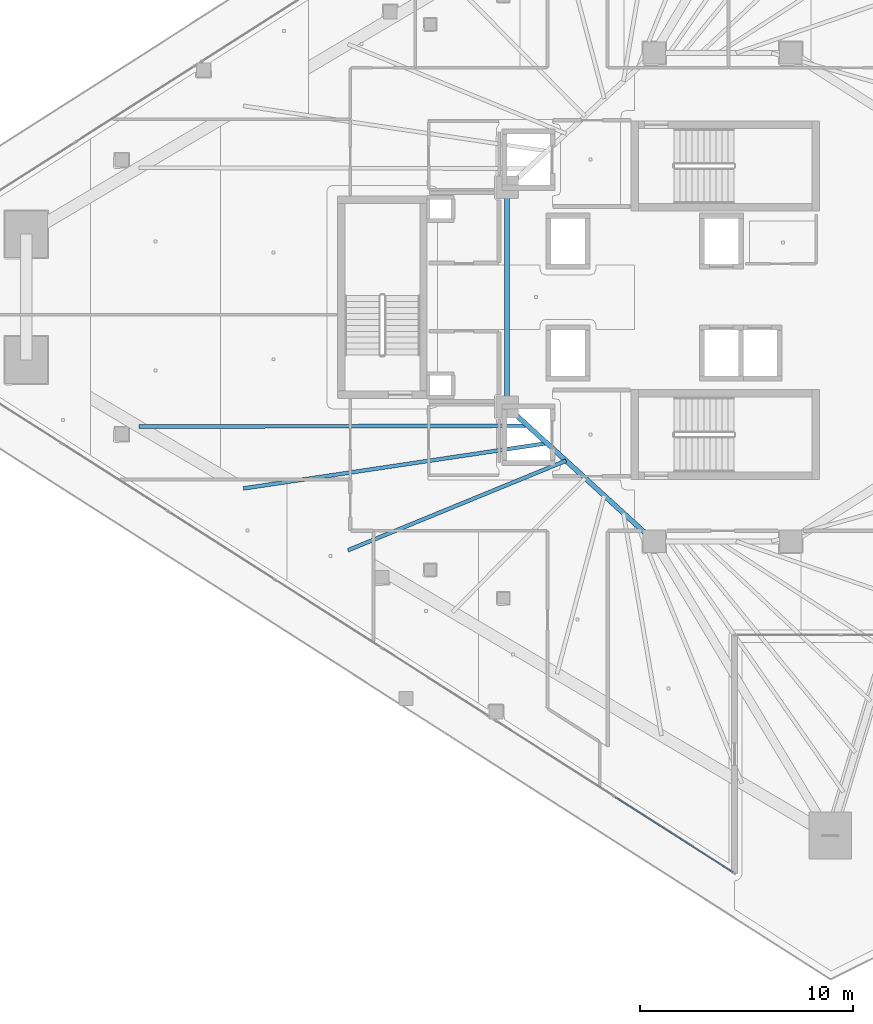
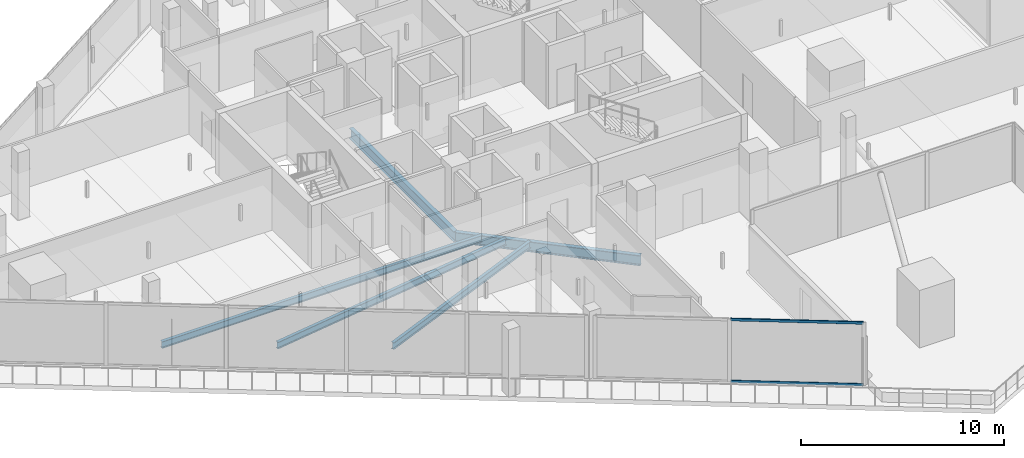
# One storey, part 6 of 38: 5 beams, 2 members, 1 element without a shape of its own.
"""IFC4 building model written with IfcOpenShell, lengths in metres."""

from ifc_helpers import new_model, si_unit, direction, frame, origin, origin_2d, place, context, subcontext, project, spatial, hollow_rectangle, i_section, extrude, material, layer, layer_set, material_profile, profile_set, type_object, element, aggregate, save


model = new_model("IFC4")

# Units and contexts
model_context = context("Model", 3, precision=1e-05, world=origin(), true_north=direction((0.0, 1.0)))
body_context = subcontext(model_context, "Body", "Model", "MODEL_VIEW")
ifc_project = project(units=[si_unit("LENGTHUNIT", "METRE"), si_unit("AREAUNIT", "SQUARE_METRE"), si_unit("VOLUMEUNIT", "CUBIC_METRE"), si_unit("PLANEANGLEUNIT", "RADIAN"), si_unit("MASSUNIT", "GRAM", prefix="KILO")], contexts=[model_context])

# Site, building, storey
site_placement = place(None, origin())
site = spatial("IfcSite", under=ifc_project, at=site_placement, CompositionType="ELEMENT")
building_placement = place(site_placement, origin())
building = spatial("IfcBuilding", under=site, at=building_placement, Name="Qorvath Tower", CompositionType="ELEMENT")
storey_placement = place(building_placement, frame((0.0, 0.0, 158.39990234375)))
storey = spatial("IfcBuildingStorey", under=building, at=storey_placement, Name="L36", CompositionType="ELEMENT", Elevation=158.39990234375)

# Beams
ifc_material_1 = material(Name="Steel ASTM A992 Grade 50", Category="steel")
ifc_material_profile_1 = material_profile(ifc_material_1, i_section(OverallWidth=0.22998046875, OverallDepth=0.616943359375, WebThickness=0.01318359375, FlangeThickness=0.022216796875, FilletRadius=0.014892578125, at=origin_2d()), Name="W24x94")
ifc_profile_set_1 = profile_set([ifc_material_profile_1], Name="Steel ASTM A992 Grade 50")
beam_type_1 = type_object("IfcBeamType", Name="BM-FG6", PredefinedType="BEAM", material=ifc_profile_set_1)
beam_1_placement = place(storey_placement, frame((-23.60009765625, -11.449951171875, -0.57861328125), z_axis=(-0.73847813985, 0.6742774184, 0.0), x_axis=(-0.6742774184, -0.73847813985, 0.0)))
element("IfcBeam", 1, at=beam_1_placement, inside=storey, type_object=beam_type_1, Name="Core Ring Girder CC4-CC6 L36", PredefinedType="BEAM", context=body_context, shape_type="SweptSolid", body=[
    extrude(i_section(OverallWidth=0.22998046875, OverallDepth=0.616943359375, WebThickness=0.01318359375, FlangeThickness=0.022216796875, FilletRadius=0.014892578125, at=origin_2d()), origin(), (0.0, 0.0, 1.0), 9.343505859375),
])
beam_2_placement = place(storey_placement, frame((-30.5, -5.14990234375, -0.57861328125), z_axis=(0.0, 1.0, 0.0), x_axis=(-1.0, 0.0, 0.0)))
element("IfcBeam", 2, at=beam_2_placement, inside=storey, type_object=beam_type_1, Name="Core Ring Girder CC6-CC5 L36", PredefinedType="BEAM", context=body_context, shape_type="SweptSolid", body=[
    extrude(i_section(OverallWidth=0.22998046875, OverallDepth=0.616943359375, WebThickness=0.01318359375, FlangeThickness=0.022216796875, FilletRadius=0.014892578125, at=origin_2d()), origin(), (0.0, 0.0, 1.0), 10.2998046875),
])
ifc_material_2 = material(Name="Steel ASTM A992 Grade 50", Category="steel")
ifc_material_profile_2 = material_profile(ifc_material_2, i_section(OverallWidth=0.177978515625, OverallDepth=0.406005859375, WebThickness=0.0078125, FlangeThickness=0.0126953125, FilletRadius=0.010986328125, at=origin_2d()), Name="W16x40")
ifc_profile_set_2 = profile_set([ifc_material_profile_2], Name="Steel ASTM A992 Grade 50")
beam_type_2 = type_object("IfcBeamType", Name="BM-FJ3", PredefinedType="JOIST", material=ifc_profile_set_2)
beam_3_placement = place(storey_placement, frame((-29.533935546875, -6.031982421875, -0.472900390625), z_axis=(-0.999997589883, -0.002195501951, 0.0), x_axis=(0.002195501951, -0.999997589883, 0.0)))
element("IfcBeam", 3, at=beam_3_placement, inside=storey, type_object=beam_type_2, Name="Composite Floor Joist SW1 L36", PredefinedType="JOIST", context=body_context, shape_type="SweptSolid", body=[
    extrude(i_section(OverallWidth=0.177978515625, OverallDepth=0.406005859375, WebThickness=0.0078125, FlangeThickness=0.0126953125, FilletRadius=0.010986328125, at=origin_2d()), origin(), (0.0, 0.0, 1.0), 18.23681640625),
])
beam_4_placement = place(storey_placement, frame((-28.636962890625, -6.85107421875, -0.472900390625), z_axis=(-0.989092860328, -0.147293291256, 0.0), x_axis=(0.147293291256, -0.989092860328, 0.0)))
element("IfcBeam", 4, at=beam_4_placement, inside=storey, type_object=beam_type_2, Name="Composite Floor Joist SW2 L36", PredefinedType="JOIST", context=body_context, shape_type="SweptSolid", body=[
    extrude(i_section(OverallWidth=0.177978515625, OverallDepth=0.406005859375, WebThickness=0.0078125, FlangeThickness=0.0126953125, FilletRadius=0.010986328125, at=origin_2d()), origin(), (0.0, 0.0, 1.0), 14.388916015625),
])
beam_5_placement = place(storey_placement, frame((-27.739990234375, -7.669921875, -0.472900390625), z_axis=(-0.925068176006, -0.379801092338, 0.0), x_axis=(0.379801092338, -0.925068176006, 0.0)))
element("IfcBeam", 5, at=beam_5_placement, inside=storey, type_object=beam_type_2, Name="Composite Floor Joist SW3 L36", PredefinedType="JOIST", context=body_context, shape_type="SweptSolid", body=[
    extrude(i_section(OverallWidth=0.177978515625, OverallDepth=0.406005859375, WebThickness=0.0078125, FlangeThickness=0.0126953125, FilletRadius=0.010986328125, at=origin_2d()), origin(), (0.0, 0.0, 1.0), 11.0556640625),
])

# Curtain wall, members
ifc_material_3 = material(Name="Anodised aluminium and triple low-E glass", Category="aluminium")
ifc_layer = layer(ifc_material_3, 0.179931640625)
ifc_layer_set = layer_set([ifc_layer], Name="CW-SYS-5")
curtain_wall_type = type_object("IfcCurtainWallType", Name="CW-SYS-5", PredefinedType="NOTDEFINED", material=ifc_layer_set)
curtain_wall_placement = place(storey_placement, origin())
curtain_wall = element("IfcCurtainWall", 6, at=curtain_wall_placement, inside=storey, type_object=curtain_wall_type, Name="Curtain Wall CW-5 CW-T-L36-18.2", PredefinedType="NOTDEFINED")
ifc_material_4 = material(Name="Anodised aluminium 6063-T6", Category="aluminium")
ifc_material_profile_3 = material_profile(ifc_material_4, hollow_rectangle(XDim=0.06494140625, YDim=0.159912109375, WallThickness=0.00341796875, InnerFilletRadius=0.00341796875, OuterFilletRadius=0.007080078125, at=origin_2d()), Name="CWT 160x65")
ifc_profile_set_3 = profile_set([ifc_material_profile_3], Name="Anodised aluminium 6063-T6")
member_type = type_object("IfcMemberType", Name="CWT-160", PredefinedType="USERDEFINED", material=ifc_profile_set_3)
member_1_placement = place(storey_placement, frame((-25.434814453125, -23.446533203125, 0.032470703125), z_axis=(0.842617040785, -0.538513252, 0.0), x_axis=(0.538513252, 0.842617040785, 0.0)))
member_1 = element("IfcMember", 7, at=member_1_placement, type_object=member_type, Name="CW-5 transom 2.1", ObjectType="TRANSOM", PredefinedType="USERDEFINED", context=body_context, shape_type="SweptSolid", body=[
    extrude(hollow_rectangle(XDim=0.06494140625, YDim=0.159912109375, WallThickness=0.00341796875, InnerFilletRadius=0.00341796875, OuterFilletRadius=0.007080078125, at=origin_2d()), origin(), (0.0, 0.0, 1.0), 6.564697265625),
])
member_2_placement = place(storey_placement, frame((-25.434814453125, -23.446533203125, 3.74755859375), z_axis=(0.842617040785, -0.538513252, 0.0), x_axis=(0.538513252, 0.842617040785, 0.0)))
member_2 = element("IfcMember", 8, at=member_2_placement, type_object=member_type, Name="CW-5 transom 2.2", ObjectType="TRANSOM", PredefinedType="USERDEFINED", context=body_context, shape_type="SweptSolid", body=[
    extrude(hollow_rectangle(XDim=0.06494140625, YDim=0.159912109375, WallThickness=0.00341796875, InnerFilletRadius=0.00341796875, OuterFilletRadius=0.007080078125, at=origin_2d()), origin(), (0.0, 0.0, 1.0), 6.564697265625),
])
aggregate(curtain_wall, [member_1, member_2])

save(model, "model.ifc")
